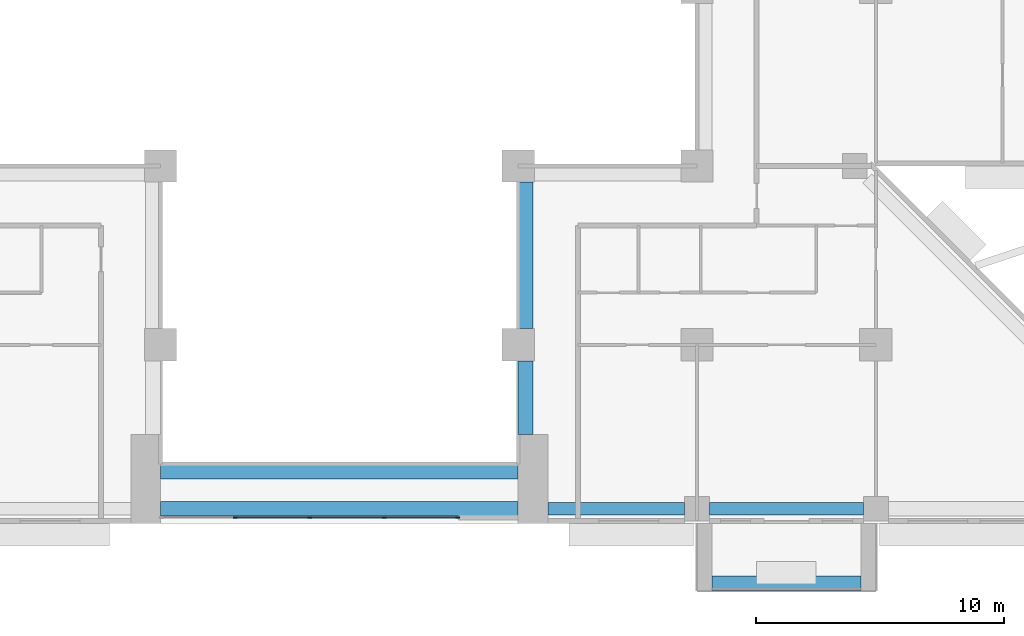
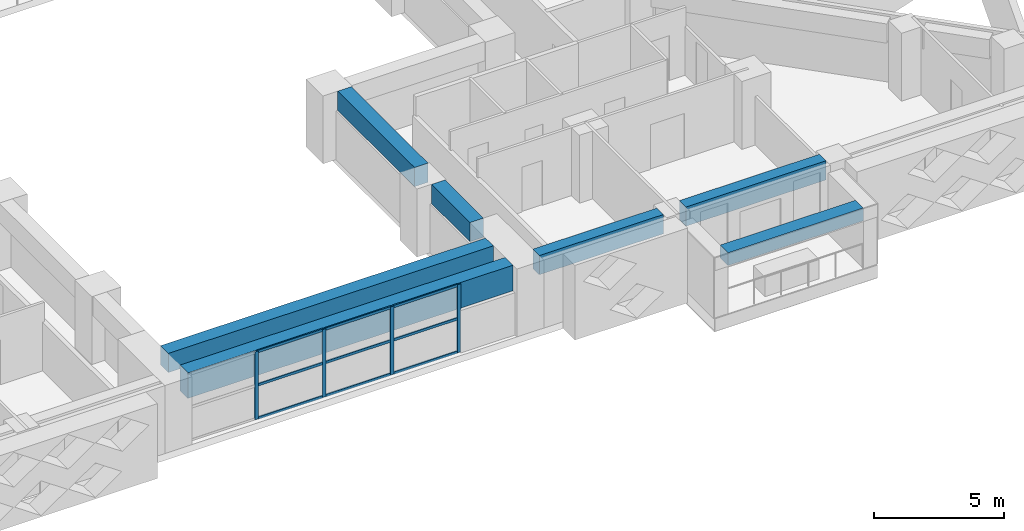
# One storey, part 4 of 16: 13 members, 7 beams, 1 element without a shape of its own.
"""IFC4 building model written with IfcOpenShell, lengths in metres."""

from ifc_helpers import new_model, si_unit, direction, frame, origin, origin_2d, place, context, subcontext, project, spatial, rectangle, extrude, source, transform, mapped, material, layer, layer_set, material_profile, profile_set, type_object, element, aggregate, save


model = new_model("IFC4")

# Units and contexts
model_context = context("Model", 3, precision=1e-05, world=origin(), true_north=direction((0.0, 1.0)))
body_context = subcontext(model_context, "Body", "Model", "MODEL_VIEW")
ifc_project = project(units=[si_unit("LENGTHUNIT", "METRE"), si_unit("AREAUNIT", "SQUARE_METRE"), si_unit("VOLUMEUNIT", "CUBIC_METRE"), si_unit("PLANEANGLEUNIT", "RADIAN"), si_unit("MASSUNIT", "GRAM", prefix="KILO")], contexts=[model_context])

# Site, building, storey
site_placement = place(None, origin())
site = spatial("IfcSite", under=ifc_project, at=site_placement, CompositionType="ELEMENT")
building_placement = place(site_placement, origin())
building = spatial("IfcBuilding", under=site, at=building_placement, Name="Saffron Iwan Residences", CompositionType="ELEMENT")
storey_placement = place(building_placement, frame((0.0, 0.0, 65.5)))
storey = spatial("IfcBuildingStorey", under=building, at=storey_placement, Name="L16", CompositionType="ELEMENT", Elevation=65.5)

# Beams
ifc_material_1 = material(Name="Concrete C60/75", Category="concrete")
ifc_material_profile_1 = material_profile(ifc_material_1, rectangle(XDim=0.60009765625, YDim=1.199951171875, at=origin_2d()), Name="RC 600x1200")
ifc_profile_set_1 = profile_set([ifc_material_profile_1], Name="Concrete C60/75")
beam_type_1 = type_object("IfcBeamType", Name="LINTEL BEAM RC 600x1200 C60/75 TOP 3180", PredefinedType="LINTEL", material=ifc_profile_set_1)
shared_shape_1 = source(origin(), body_context, "Body", "SweptSolid", [
    extrude(rectangle(XDim=0.60009765625, YDim=1.199951171875, at=origin_2d()), origin(), (0.0, 0.0, 1.0), 14.400146484375),
])
beam_1_placement = place(storey_placement, frame((57.60009765625, 34.199951171875, 2.580078125), z_axis=(-1.0, 0.0, 0.0), x_axis=(0.0, -1.0, 0.0)))
element("IfcBeam", 1, at=beam_1_placement, inside=storey, type_object=beam_type_1, Name="Lintel beam over the iwan", PredefinedType="LINTEL", context=body_context, shape_type="MappedRepresentation", body=[
    mapped(shared_shape_1, transform((0.0, 0.0, 0.0))),
])
ifc_material_profile_2 = material_profile(ifc_material_1, rectangle(XDim=0.60009765625, YDim=0.89990234375, at=origin_2d()), Name="RC 600x900")
ifc_profile_set_2 = profile_set([ifc_material_profile_2], Name="Concrete C60/75")
beam_type_2 = type_object("IfcBeamType", Name="BEAM RC 600x900 C60/75 TOP 3180", PredefinedType="BEAM", material=ifc_profile_set_2)
shared_shape_2 = source(origin(), body_context, "Body", "SweptSolid", [
    extrude(rectangle(XDim=0.60009765625, YDim=0.89990234375, at=origin_2d()), origin(), (0.0, 0.0, 1.0), 14.400146484375),
])
beam_2_placement = place(storey_placement, frame((57.60009765625, 35.699951171875, 2.72998046875), z_axis=(-1.0, 0.0, 0.0), x_axis=(0.0, -1.0, 0.0)))
element("IfcBeam", 2, at=beam_2_placement, inside=storey, type_object=beam_type_2, Name="Atrium edge beam", PredefinedType="BEAM", context=body_context, shape_type="MappedRepresentation", body=[
    mapped(shared_shape_2, transform((0.0, 0.0, 0.0))),
])
ifc_material_profile_3 = material_profile(ifc_material_1, rectangle(XDim=0.5, YDim=0.89990234375, at=origin_2d()), Name="RC 500x900")
ifc_profile_set_3 = profile_set([ifc_material_profile_3], Name="Concrete C60/75")
beam_type_3 = type_object("IfcBeamType", Name="SPANDREL BEAM RC 500x900 C60/75 TOP 3180", PredefinedType="SPANDREL", material=ifc_profile_set_3)
shared_shape_3 = source(origin(), body_context, "Body", "SweptSolid", [
    extrude(rectangle(XDim=0.5, YDim=0.89990234375, at=origin_2d()), origin(), (0.0, 0.0, 1.0), 6.199951171875),
])
beam_3_placement = place(storey_placement, frame((71.5, 34.199951171875, 2.72998046875), z_axis=(-1.0, 0.0, 0.0), x_axis=(0.0, -1.0, 0.0)))
element("IfcBeam", 3, at=beam_3_placement, inside=storey, type_object=beam_type_3, Name="Spandrel beam", PredefinedType="SPANDREL", context=body_context, shape_type="MappedRepresentation", body=[
    mapped(shared_shape_3, transform((0.0, 0.0, 0.0))),
])
shared_shape_4 = source(origin(), body_context, "Body", "SweptSolid", [
    extrude(rectangle(XDim=0.5, YDim=0.89990234375, at=origin_2d()), origin(), (0.0, 0.0, 1.0), 5.5),
])
beam_4_placement = place(storey_placement, frame((64.300048828125, 34.199951171875, 2.72998046875), z_axis=(-1.0, 0.0, 0.0), x_axis=(0.0, -1.0, 0.0)))
element("IfcBeam", 4, at=beam_4_placement, inside=storey, type_object=beam_type_3, Name="Spandrel beam", PredefinedType="SPANDREL", context=body_context, shape_type="MappedRepresentation", body=[
    mapped(shared_shape_4, transform((0.0, 0.0, 0.0))),
])
shared_shape_5 = source(origin(), body_context, "Body", "SweptSolid", [
    extrude(rectangle(XDim=0.60009765625, YDim=0.89990234375, at=origin_2d()), origin(), (0.0, 0.0, 1.0), 2.949951171875),
])
beam_5_placement = place(storey_placement, frame((57.89990234375, 40.14990234375, 2.72998046875), z_axis=(0.0, -1.0, 0.0), x_axis=(1.0, 0.0, 0.0)))
element("IfcBeam", 5, at=beam_5_placement, inside=storey, type_object=beam_type_2, Name="Atrium edge beam", PredefinedType="BEAM", context=body_context, shape_type="MappedRepresentation", body=[
    mapped(shared_shape_5, transform((0.0, 0.0, 0.0))),
])
shared_shape_6 = source(origin(), body_context, "Body", "SweptSolid", [
    extrude(rectangle(XDim=0.60009765625, YDim=0.89990234375, at=origin_2d()), origin(), (0.0, 0.0, 1.0), 5.900146484375),
])
beam_6_placement = place(storey_placement, frame((57.89990234375, 47.35009765625, 2.72998046875), z_axis=(0.0, -1.0, 0.0), x_axis=(1.0, 0.0, 0.0)))
element("IfcBeam", 6, at=beam_6_placement, inside=storey, type_object=beam_type_2, Name="Atrium edge beam", PredefinedType="BEAM", context=body_context, shape_type="MappedRepresentation", body=[
    mapped(shared_shape_6, transform((0.0, 0.0, 0.0))),
])

# Curtain wall, members
ifc_material_2 = material(Name="Clear glass, laminated double glazed", Category="glass")
ifc_layer = layer(ifc_material_2, 0.199951171875)
ifc_layer_set = layer_set([ifc_layer], Name="Clear glass, laminated double glazed")
curtain_wall_type = type_object("IfcCurtainWallType", Name="CW-B IWAN PORTAL", PredefinedType="NOTDEFINED", material=ifc_layer_set)
curtain_wall_placement = place(storey_placement, origin())
curtain_wall = element("IfcCurtainWall", 7, at=curtain_wall_placement, inside=storey, type_object=curtain_wall_type, Name="Iwan portal glazing L16.1", PredefinedType="NOTDEFINED")
ifc_material_3 = material(Name="Aluminium 6063-T6", Category="aluminium")
ifc_material_profile_4 = material_profile(ifc_material_3, rectangle(XDim=0.06005859375, YDim=0.159912109375, at=origin_2d()), Name="CW-B MULLION 60 x 160")
ifc_profile_set_4 = profile_set([ifc_material_profile_4], Name="Aluminium 6063-T6")
member_type_1 = type_object("IfcMemberType", Name="CW-B MULLION 60 x 160", PredefinedType="MULLION", material=ifc_profile_set_4)
shared_shape_7 = source(origin(), body_context, "Body", "SweptSolid", [
    extrude(rectangle(XDim=0.06005859375, YDim=0.159912109375, at=origin_2d()), origin(), (0.0, 0.0, 1.0), 3.179931640625),
])
member_1_placement = place(storey_placement, frame((46.199951171875, 33.85009765625, 0.0), z_axis=(0.0, 0.0, 1.0), x_axis=(0.0, 1.0, 0.0)))
member_1 = element("IfcMember", 8, at=member_1_placement, type_object=member_type_1, Name="CW-B mullion 2", PredefinedType="MULLION", context=body_context, shape_type="MappedRepresentation", body=[
    mapped(shared_shape_7, transform((0.0, 0.0, 0.0))),
])
member_2_placement = place(storey_placement, frame((49.199951171875, 33.85009765625, 0.0), z_axis=(0.0, 0.0, 1.0), x_axis=(0.0, 1.0, 0.0)))
member_2 = element("IfcMember", 9, at=member_2_placement, type_object=member_type_1, Name="CW-B mullion 3", PredefinedType="MULLION", context=body_context, shape_type="MappedRepresentation", body=[
    mapped(shared_shape_7, transform((0.0, 0.0, 0.0))),
])
member_3_placement = place(storey_placement, frame((52.199951171875, 33.85009765625, 0.0), z_axis=(0.0, 0.0, 1.0), x_axis=(0.0, 1.0, 0.0)))
member_3 = element("IfcMember", 10, at=member_3_placement, type_object=member_type_1, Name="CW-B mullion 4", PredefinedType="MULLION", context=body_context, shape_type="MappedRepresentation", body=[
    mapped(shared_shape_7, transform((0.0, 0.0, 0.0))),
])
member_4_placement = place(storey_placement, frame((55.169921875, 33.85009765625, 0.0), z_axis=(0.0, 0.0, 1.0), x_axis=(0.0, 1.0, 0.0)))
member_4 = element("IfcMember", 11, at=member_4_placement, type_object=member_type_1, Name="CW-B mullion 5", PredefinedType="MULLION", context=body_context, shape_type="MappedRepresentation", body=[
    mapped(shared_shape_7, transform((0.0, 0.0, 0.0))),
])
ifc_material_profile_5 = material_profile(ifc_material_3, rectangle(XDim=0.06005859375, YDim=0.1201171875, at=origin_2d()), Name="CW-B TRANSOM 60 x 120")
ifc_profile_set_5 = profile_set([ifc_material_profile_5], Name="Aluminium 6063-T6")
member_type_2 = type_object("IfcMemberType", Name="CW-B TRANSOM 60 x 120", PredefinedType="USERDEFINED", material=ifc_profile_set_5)
shared_shape_8 = source(origin(), body_context, "Body", "SweptSolid", [
    extrude(rectangle(XDim=0.06005859375, YDim=0.1201171875, at=origin_2d()), origin(), (0.0, 0.0, 1.0), 2.909912109375),
])
member_5_placement = place(storey_placement, frame((52.22998046875, 33.85009765625, 0.030029296875), z_axis=(1.0, 0.0, 0.0), x_axis=(0.0, 1.0, 0.0)))
member_5 = element("IfcMember", 12, at=member_5_placement, type_object=member_type_2, Name="CW-B transom 4.1", ObjectType="TRANSOM", PredefinedType="USERDEFINED", context=body_context, shape_type="MappedRepresentation", body=[
    mapped(shared_shape_8, transform((0.0, 0.0, 0.0))),
])
member_6_placement = place(storey_placement, frame((52.22998046875, 33.85009765625, 1.590087890625), z_axis=(1.0, 0.0, 0.0), x_axis=(0.0, 1.0, 0.0)))
member_6 = element("IfcMember", 13, at=member_6_placement, type_object=member_type_2, Name="CW-B transom 4.2", ObjectType="TRANSOM", PredefinedType="USERDEFINED", context=body_context, shape_type="MappedRepresentation", body=[
    mapped(shared_shape_8, transform((0.0, 0.0, 0.0))),
])
member_7_placement = place(storey_placement, frame((52.22998046875, 33.85009765625, 3.14990234375), z_axis=(1.0, 0.0, 0.0), x_axis=(0.0, 1.0, 0.0)))
member_7 = element("IfcMember", 14, at=member_7_placement, type_object=member_type_2, Name="CW-B transom 4.3", ObjectType="TRANSOM", PredefinedType="USERDEFINED", context=body_context, shape_type="MappedRepresentation", body=[
    mapped(shared_shape_8, transform((0.0, 0.0, 0.0))),
])
shared_shape_9 = source(origin(), body_context, "Body", "SweptSolid", [
    extrude(rectangle(XDim=0.06005859375, YDim=0.1201171875, at=origin_2d()), origin(), (0.0, 0.0, 1.0), 2.93994140625),
])
member_8_placement = place(storey_placement, frame((46.22998046875, 33.85009765625, 0.030029296875), z_axis=(1.0, 0.0, 0.0), x_axis=(0.0, 1.0, 0.0)))
member_8 = element("IfcMember", 15, at=member_8_placement, type_object=member_type_2, Name="CW-B transom 2.1", ObjectType="TRANSOM", PredefinedType="USERDEFINED", context=body_context, shape_type="MappedRepresentation", body=[
    mapped(shared_shape_9, transform((0.0, 0.0, 0.0))),
])
member_9_placement = place(storey_placement, frame((46.22998046875, 33.85009765625, 1.590087890625), z_axis=(1.0, 0.0, 0.0), x_axis=(0.0, 1.0, 0.0)))
member_9 = element("IfcMember", 16, at=member_9_placement, type_object=member_type_2, Name="CW-B transom 2.2", ObjectType="TRANSOM", PredefinedType="USERDEFINED", context=body_context, shape_type="MappedRepresentation", body=[
    mapped(shared_shape_9, transform((0.0, 0.0, 0.0))),
])
member_10_placement = place(storey_placement, frame((46.22998046875, 33.85009765625, 3.14990234375), z_axis=(1.0, 0.0, 0.0), x_axis=(0.0, 1.0, 0.0)))
member_10 = element("IfcMember", 17, at=member_10_placement, type_object=member_type_2, Name="CW-B transom 2.3", ObjectType="TRANSOM", PredefinedType="USERDEFINED", context=body_context, shape_type="MappedRepresentation", body=[
    mapped(shared_shape_9, transform((0.0, 0.0, 0.0))),
])
member_11_placement = place(storey_placement, frame((49.22998046875, 33.85009765625, 0.030029296875), z_axis=(1.0, 0.0, 0.0), x_axis=(0.0, 1.0, 0.0)))
member_11 = element("IfcMember", 18, at=member_11_placement, type_object=member_type_2, Name="CW-B transom 3.1", ObjectType="TRANSOM", PredefinedType="USERDEFINED", context=body_context, shape_type="MappedRepresentation", body=[
    mapped(shared_shape_9, transform((0.0, 0.0, 0.0))),
])
member_12_placement = place(storey_placement, frame((49.22998046875, 33.85009765625, 1.590087890625), z_axis=(1.0, 0.0, 0.0), x_axis=(0.0, 1.0, 0.0)))
member_12 = element("IfcMember", 19, at=member_12_placement, type_object=member_type_2, Name="CW-B transom 3.2", ObjectType="TRANSOM", PredefinedType="USERDEFINED", context=body_context, shape_type="MappedRepresentation", body=[
    mapped(shared_shape_9, transform((0.0, 0.0, 0.0))),
])
member_13_placement = place(storey_placement, frame((49.22998046875, 33.85009765625, 3.14990234375), z_axis=(1.0, 0.0, 0.0), x_axis=(0.0, 1.0, 0.0)))
member_13 = element("IfcMember", 20, at=member_13_placement, type_object=member_type_2, Name="CW-B transom 3.3", ObjectType="TRANSOM", PredefinedType="USERDEFINED", context=body_context, shape_type="MappedRepresentation", body=[
    mapped(shared_shape_9, transform((0.0, 0.0, 0.0))),
])
aggregate(curtain_wall, [member_1, member_2, member_3, member_4, member_8, member_9, member_10, member_11, member_12, member_13, member_5, member_6, member_7])

# Beam
ifc_material_4 = material(Name="Concrete C50/60 white painted", Category="concrete")
ifc_material_profile_6 = material_profile(ifc_material_4, rectangle(XDim=0.60009765625, YDim=0.60009765625, at=origin_2d()), Name="BALCONY FASCIA BEAM 600 x 600")
ifc_profile_set_6 = profile_set([ifc_material_profile_6], Name="Concrete C50/60 white painted")
beam_type_4 = type_object("IfcBeamType", Name="BALCONY FASCIA BEAM 600 x 600", PredefinedType="BEAM", material=ifc_profile_set_6)
shared_shape_10 = source(origin(), body_context, "Body", "SweptSolid", [
    extrude(rectangle(XDim=0.60009765625, YDim=0.60009765625, at=origin_2d()), origin(), (0.0, 0.0, 1.0), 6.0),
])
beam_7_placement = place(storey_placement, frame((65.39990234375, 31.199951171875, 2.550048828125), z_axis=(1.0, 0.0, 0.0), x_axis=(0.0, 1.0, 0.0)))
element("IfcBeam", 21, at=beam_7_placement, inside=storey, type_object=beam_type_4, Name="Balcony fascia beam L16 11-1", PredefinedType="BEAM", context=body_context, shape_type="MappedRepresentation", body=[
    mapped(shared_shape_10, transform((0.0, 0.0, 0.0))),
])

save(model, "model.ifc")
